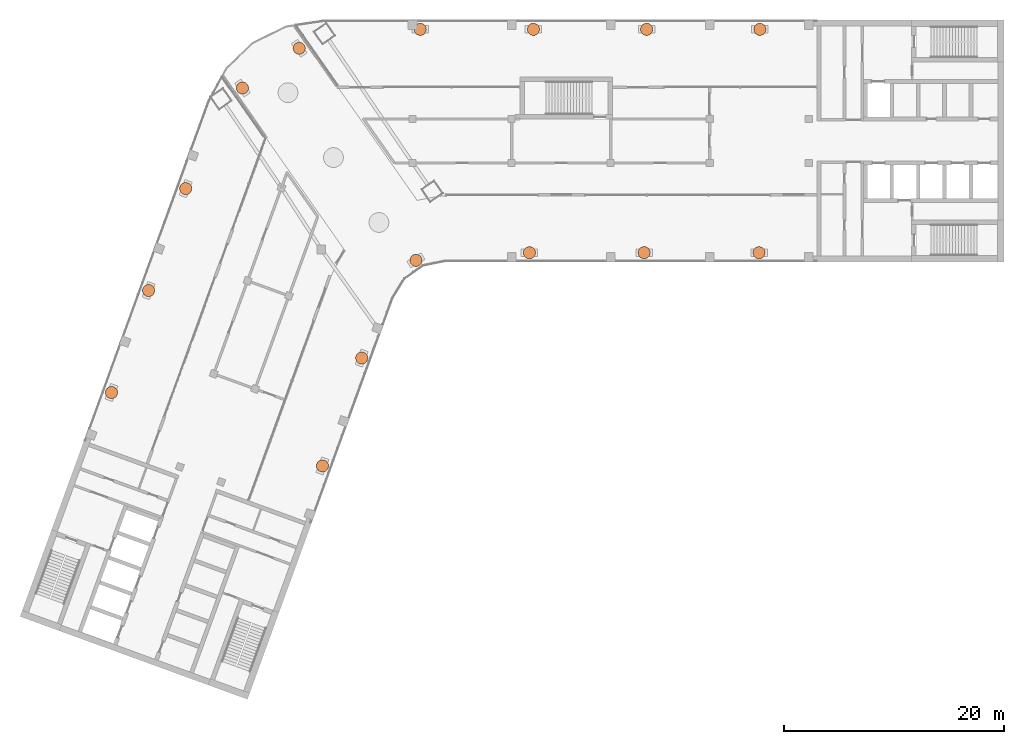
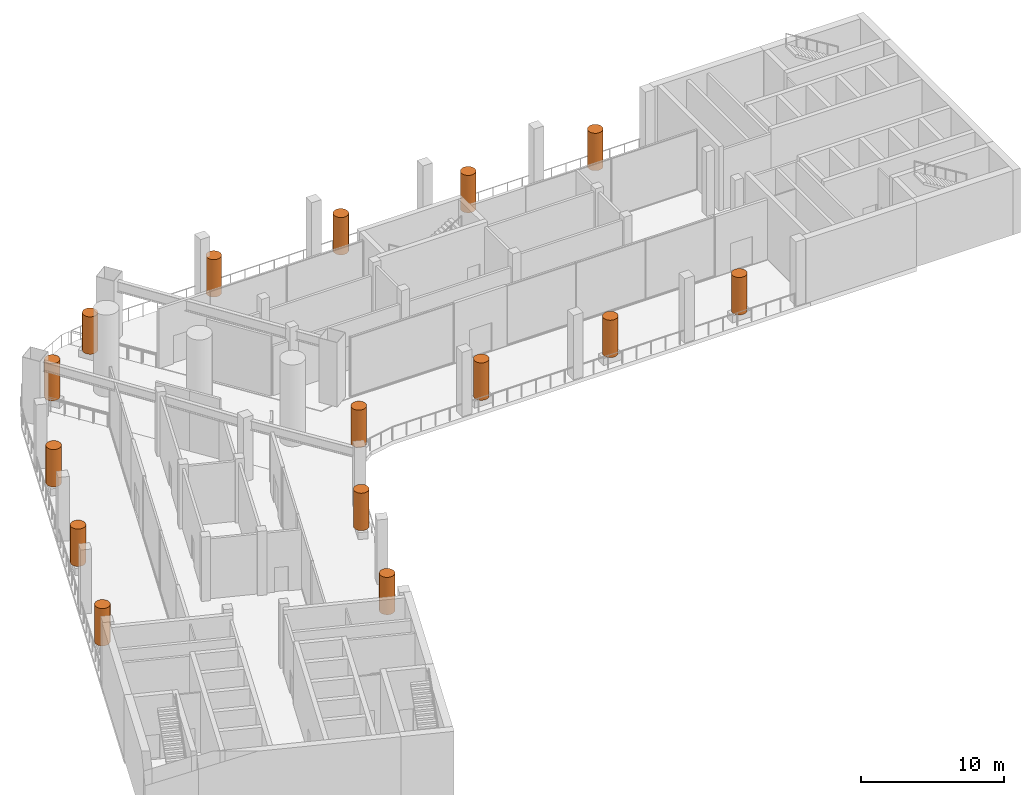
# One storey, part 17 of 17: 15 geographic elements.
"""IFC4 building model written with IfcOpenShell, lengths in metres."""

from ifc_helpers import new_model, si_unit, direction, frame, origin, origin_2d, place, context, subcontext, project, spatial, circle, extrude, element, save


model = new_model("IFC4")

# Units and contexts
model_context = context("Model", 3, precision=1e-05, world=origin(), true_north=direction((0.0, 1.0)))
body_context = subcontext(model_context, "Body", "Model", "MODEL_VIEW")
ifc_project = project(units=[si_unit("LENGTHUNIT", "METRE"), si_unit("AREAUNIT", "SQUARE_METRE"), si_unit("VOLUMEUNIT", "CUBIC_METRE"), si_unit("PLANEANGLEUNIT", "RADIAN"), si_unit("MASSUNIT", "GRAM", prefix="KILO")], contexts=[model_context])

# Site, building, storey
site_placement = place(None, origin())
site = spatial("IfcSite", under=ifc_project, at=site_placement, CompositionType="ELEMENT")
building_placement = place(site_placement, origin())
building = spatial("IfcBuilding", under=site, at=building_placement, Name="Skarvind Civic Tower", CompositionType="ELEMENT")
storey_placement = place(building_placement, frame((0.0, 0.0, 182.5)))
storey = spatial("IfcBuildingStorey", under=building, at=storey_placement, Name="L43", CompositionType="ELEMENT", Elevation=182.5)

# Geographic elements
for number, where, z_axis, x_axis, name in (
    (1, (38.7822265625, 132.816162109375, 0.60009765625), (0.0, 0.0, 1.0), (1.0, 0.0, 0.0), "TERRACE TREE"),
    (2, (43.94287109375, 136.4296875, 0.60009765625), (0.0, 0.0, 1.0), (1.0, 0.0, 0.0), "TERRACE TREE"),
    (3, (85.73291015625, 117.85009765625, 0.60009765625), (0.0, 0.0, 1.0), (1.0, 0.0, 0.0), "TERRACE TREE"),
    (4, (75.298583984375, 117.85009765625, 0.60009765625), (0.0, 0.0, 1.0), (1.0, 0.0, 0.0), "TERRACE TREE"),
    (5, (64.864013671875, 117.85009765625, 0.60009765625), (0.0, 0.0, 1.0), (1.0, 0.0, 0.0), "TERRACE TREE"),
    (6, (54.551025390625, 117.152587890625, 0.60009765625), (0.0, 0.0, 1.0), (1.0, 0.0, 0.0), "TERRACE TREE"),
    (7, (49.62158203125, 108.273193359375, 0.60009765625), (0.0, 0.0, 1.0), (1.0, 0.0, 0.0), "TERRACE TREE"),
    (8, (46.052734375, 98.46826171875, 0.60009765625), (0.0, 0.0, 1.0), (1.0, 0.0, 0.0), "TERRACE TREE"),
    (9, (54.939453125, 138.14990234375, 0.60009765625), (0.0, 0.0, 1.0), (1.0, 0.0, 0.0), "TERRACE TREE"),
    (10, (65.228271484375, 138.14990234375, 0.60009765625), (0.0, 0.0, 1.0), (1.0, 0.0, 0.0), "TERRACE TREE"),
    (11, (75.516845703125, 138.14990234375, 0.60009765625), (0.0, 0.0, 1.0), (1.0, 0.0, 0.0), "TERRACE TREE"),
    (12, (85.8056640625, 138.14990234375, 0.60009765625), (0.0, 0.0, 1.0), (1.0, 0.0, 0.0), "TERRACE TREE"),
    (13, (26.87890625, 105.1416015625, 0.60009765625), (0.0, 0.0, 1.0), (1.0, 0.0, 0.0), "TERRACE TREE"),
    (14, (30.25146484375, 114.407958984375, 0.60009765625), (0.0, 0.0, 1.0), (1.0, 0.0, 0.0), "TERRACE TREE"),
    (15, (33.6240234375, 123.67431640625, 0.60009765625), (0.0, 0.0, 1.0), (1.0, 0.0, 0.0), "TERRACE TREE"),
):
    element("IfcGeographicElement", number, at=place(storey_placement, frame(where, z_axis=z_axis, x_axis=x_axis)), inside=storey, Name=name, ObjectType="TREE", PredefinedType="USERDEFINED", context=body_context, shape_type="SweptSolid", body=[
        extrude(circle(Radius=0.550048828125, at=origin_2d()), origin(), (0.0, 0.0, 1.0), 3.199951171875),
    ])

save(model, "model.ifc")
